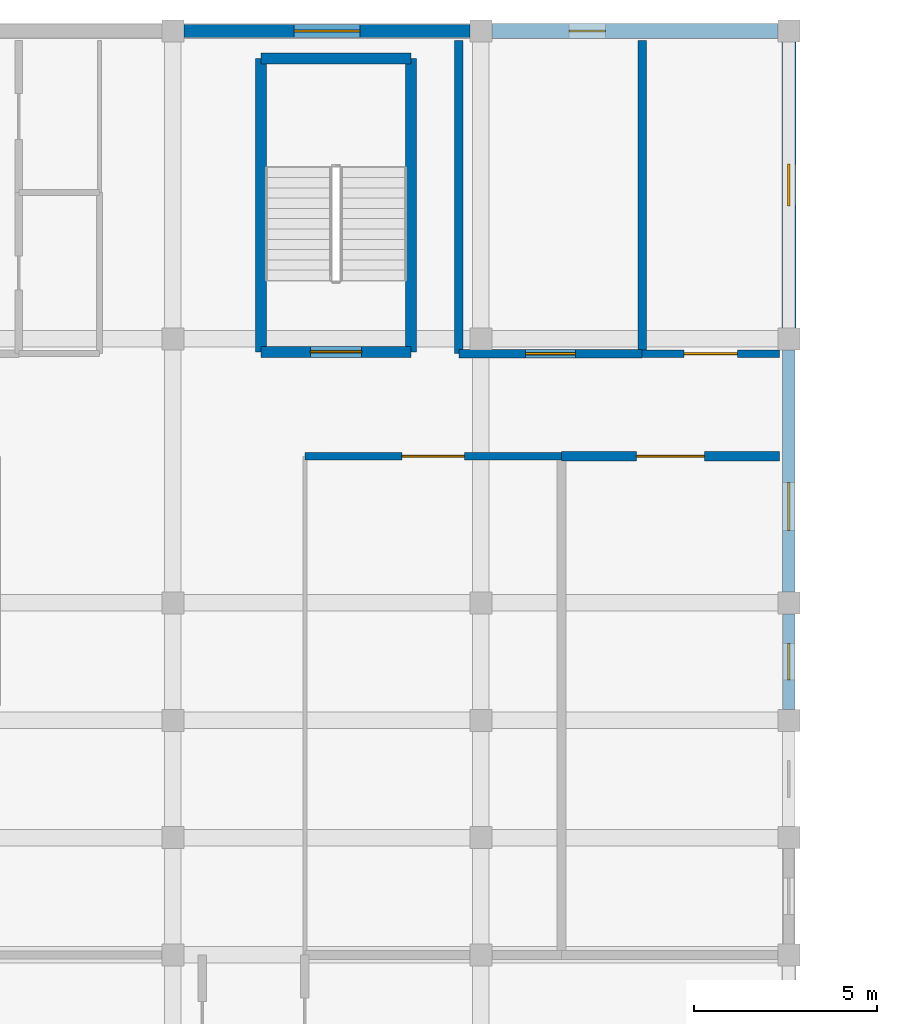
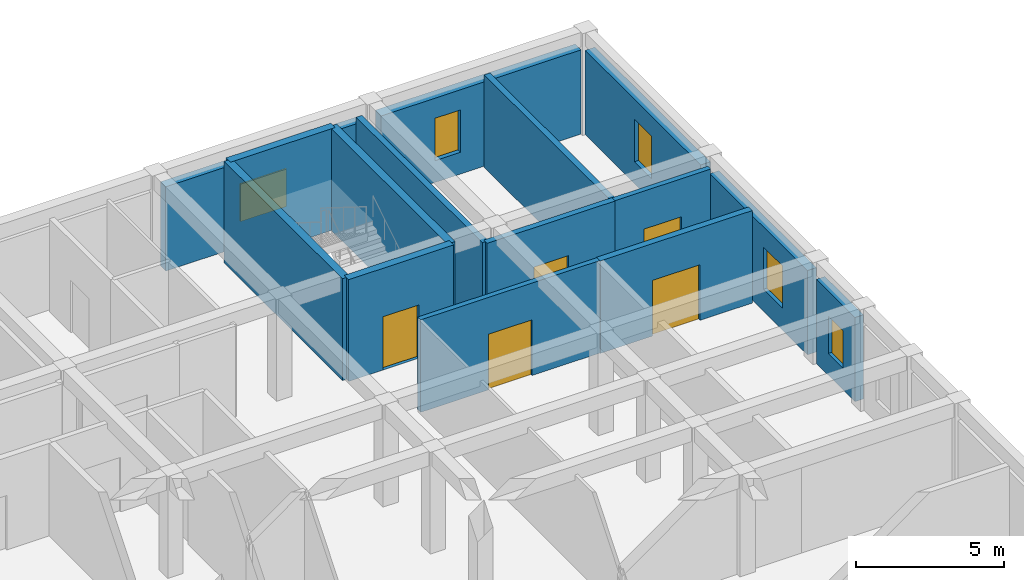
# One storey, part 30 of 42: 15 walls, 5 doors, 5 windows, 10 openings.
"""IFC4 building model written with IfcOpenShell, lengths in metres."""

from ifc_helpers import new_model, si_unit, direction, frame, frame_2d, origin, place, context, subcontext, project, spatial, rectangle, extrude, material, layer, layer_set, type_object, element, fill, save


model = new_model("IFC4")

# Units and contexts
model_context = context("Model", 3, precision=1e-05, world=origin(), true_north=direction((0.0, 1.0)))
body_context = subcontext(model_context, "Body", "Model", "MODEL_VIEW")
ifc_project = project(units=[si_unit("LENGTHUNIT", "METRE"), si_unit("AREAUNIT", "SQUARE_METRE"), si_unit("VOLUMEUNIT", "CUBIC_METRE"), si_unit("PLANEANGLEUNIT", "RADIAN"), si_unit("MASSUNIT", "GRAM", prefix="KILO")], contexts=[model_context])

# Site, building, storey
site_placement = place(None, origin())
site = spatial("IfcSite", under=ifc_project, at=site_placement, CompositionType="ELEMENT")
building_placement = place(site_placement, origin())
building = spatial("IfcBuilding", under=site, at=building_placement, Name="Varncliffe General Hospital", CompositionType="ELEMENT")
storey_placement = place(building_placement, frame((0.0, 0.0, 20.39990234375)))
storey = spatial("IfcBuildingStorey", under=building, at=storey_placement, Name="L04", CompositionType="ELEMENT", Elevation=20.39990234375)

# Wall, opening, window
ifc_material_1 = material(Name="Precast concrete C40/50 with insulated cream lime-cement stucco", Category="concrete")
ifc_layer_1 = layer(ifc_material_1, 0.3798828125)
ifc_layer_set_1 = layer_set([ifc_layer_1], Name="Precast concrete C40/50 with insulated cream lime-cement stucco")
wall_type_1 = type_object("IfcWallType", Name="Exterior Insulated Stucco Wall EW26 (380mm)", PredefinedType="SOLIDWALL", material=ifc_layer_set_1)
wall_1_placement = place(storey_placement, frame((176.39990234375, 124.501953125, 0.0), z_axis=(0.0, 0.0, 1.0), x_axis=(0.0, -1.0, 0.0)))
wall_1 = element("IfcWall", 1, at=wall_1_placement, inside=storey, type_object=wall_type_1, Name="L04 Exterior Stucco Wall EW26-374", PredefinedType="SOLIDWALL", context=body_context, shape_type="SweptSolid", body=[
    extrude(rectangle(XDim=7.803955078125, YDim=0.3798828125, at=frame_2d((3.90185546875, 0.0))), origin(), (0.0, 0.0, 1.0), 3.47998046875),
])
opening_1_placement = place(wall_1_placement, frame((3.326904296875, 0.0, 0.89990234375)))
opening_1 = element("IfcOpeningElement", 2, at=opening_1_placement, cuts=wall_1, Name="Opening WN60", PredefinedType="OPENING", context=body_context, shape_type="SweptSolid", body=[
    extrude(rectangle(XDim=1.14990234375, YDim=1.75, at=frame_2d((0.574951171875, 0.875))), frame((0.0, 0.199951171875, 0.0), z_axis=(0.0, -1.0, 0.0), x_axis=(1.0, 0.0, 0.0)), (0.0, 0.0, 1.0), 0.39990234375),
])
ifc_material_2 = material(Name="Triple low-E argon insulated vision glazing", Category="glass")
window_type_1 = type_object("IfcWindowType", Name="Triple-Glazed Hospital Window WN60 (1150x1750)", PartitioningType="SINGLE_PANEL", PredefinedType="WINDOW", material=ifc_material_2)
window_1_placement = place(opening_1_placement, origin())
window_1 = element("IfcWindow", 3, at=window_1_placement, inside=storey, type_object=window_type_1, Name="L04 Hospital Window WN60-280", OverallHeight=1.75, OverallWidth=1.14990234375, PartitioningType="SINGLE_PANEL", PredefinedType="WINDOW", context=body_context, shape_type="SweptSolid", body=[
    extrude(rectangle(XDim=1.14990234375, YDim=1.75, at=frame_2d((0.574951171875, 0.875))), frame((0.0, 0.030029296875, 0.0), z_axis=(0.0, -1.0, 0.0), x_axis=(1.0, 0.0, 0.0)), (0.0, 0.0, 1.0), 0.06005859375),
])
fill(opening_1, window_1)

ifc_layer_2 = layer(ifc_material_1, 0.330078125)
ifc_layer_set_2 = layer_set([ifc_layer_2], Name="Precast concrete C40/50 with insulated cream lime-cement stucco")
wall_type_2 = type_object("IfcWallType", Name="Exterior Insulated Stucco Wall EW33 (330mm)", PredefinedType="SOLIDWALL", material=ifc_layer_set_2)
wall_2_placement = place(storey_placement, frame((176.39990234375, 108.902099609375, 0.0), z_axis=(0.0, 0.0, 1.0), x_axis=(0.0, -1.0, 0.0)))
wall_2 = element("IfcWall", 4, at=wall_2_placement, inside=storey, type_object=wall_type_2, Name="L04 Exterior Stucco Wall EW33-376", PredefinedType="SOLIDWALL", context=body_context, shape_type="SweptSolid", body=[
    extrude(rectangle(XDim=2.60400390625, YDim=0.330078125, at=frame_2d((1.302001953125, 0.0))), origin(), (0.0, 0.0, 1.0), 3.47998046875),
])
opening_2_placement = place(wall_2_placement, frame((0.802001953125, 0.0, 0.89990234375)))
opening_2 = element("IfcOpeningElement", 5, at=opening_2_placement, cuts=wall_2, Name="Opening WN21", PredefinedType="OPENING", context=body_context, shape_type="SweptSolid", body=[
    extrude(rectangle(XDim=1.0, YDim=1.550048828125, at=frame_2d((0.5, 0.77490234375))), frame((0.0, 0.175048828125, 0.0), z_axis=(0.0, -1.0, 0.0), x_axis=(1.0, 0.0, 0.0)), (0.0, 0.0, 1.0), 0.35009765625),
])
window_type_2 = type_object("IfcWindowType", Name="Triple-Glazed Hospital Window WN21 (1000x1550)", PartitioningType="SINGLE_PANEL", PredefinedType="WINDOW", material=ifc_material_2)
window_2_placement = place(opening_2_placement, origin())
window_2 = element("IfcWindow", 6, at=window_2_placement, inside=storey, type_object=window_type_2, Name="L04 Hospital Window WN21-282", OverallHeight=1.550048828125, OverallWidth=1.0, PartitioningType="SINGLE_PANEL", PredefinedType="WINDOW", context=body_context, shape_type="SweptSolid", body=[
    extrude(rectangle(XDim=1.0, YDim=1.550048828125, at=frame_2d((0.5, 0.77490234375))), frame((0.0, 0.030029296875, 0.0), z_axis=(0.0, -1.0, 0.0), x_axis=(1.0, 0.0, 0.0)), (0.0, 0.0, 1.0), 0.06005859375),
])
fill(opening_2, window_2)

ifc_layer_3 = layer(ifc_material_1, 0.35009765625)
ifc_layer_set_3 = layer_set([ifc_layer_3], Name="Precast concrete C40/50 with insulated cream lime-cement stucco")
wall_type_3 = type_object("IfcWallType", Name="Exterior Insulated Stucco Wall EW37 (350mm)", PredefinedType="SOLIDWALL", material=ifc_layer_set_3)
wall_3_placement = place(storey_placement, frame((159.89794921875, 124.800048828125, 0.0), z_axis=(0.0, 0.0, 1.0), x_axis=(1.0, 0.0, 0.0)))
wall_3 = element("IfcWall", 7, at=wall_3_placement, inside=storey, type_object=wall_type_3, Name="L04 Exterior Stucco Wall EW37-372", PredefinedType="SOLIDWALL", context=body_context, shape_type="SweptSolid", body=[
    extrude(rectangle(XDim=7.803955078125, YDim=0.35009765625, at=frame_2d((3.90185546875, 0.0))), origin(), (0.0, 0.0, 1.0), 3.47998046875),
])
opening_3_placement = place(wall_3_placement, frame((3.001953125, 0.0, 0.89990234375)))
opening_3 = element("IfcOpeningElement", 8, at=opening_3_placement, cuts=wall_3, Name="Opening WN52", PredefinedType="OPENING", context=body_context, shape_type="SweptSolid", body=[
    extrude(rectangle(XDim=1.800048828125, YDim=1.550048828125, at=frame_2d((0.89990234375, 0.77490234375))), frame((0.0, 0.18505859375, 0.0), z_axis=(0.0, -1.0, 0.0), x_axis=(1.0, 0.0, 0.0)), (0.0, 0.0, 1.0), 0.3701171875),
])
window_type_3 = type_object("IfcWindowType", Name="Triple-Glazed Hospital Window WN52 (1800x1550)", PartitioningType="DOUBLE_PANEL_VERTICAL", PredefinedType="WINDOW", material=ifc_material_2)
window_3_placement = place(opening_3_placement, origin())
window_3 = element("IfcWindow", 9, at=window_3_placement, inside=storey, type_object=window_type_3, Name="L04 Hospital Window WN52-278", OverallHeight=1.550048828125, OverallWidth=1.800048828125, PartitioningType="DOUBLE_PANEL_VERTICAL", PredefinedType="WINDOW", context=body_context, shape_type="SweptSolid", body=[
    extrude(rectangle(XDim=1.800048828125, YDim=1.550048828125, at=frame_2d((0.89990234375, 0.77490234375))), frame((0.0, 0.030029296875, 0.0), z_axis=(0.0, -1.0, 0.0), x_axis=(1.0, 0.0, 0.0)), (0.0, 0.0, 1.0), 0.06005859375),
])
fill(opening_3, window_3)

wall_4_placement = place(storey_placement, frame((176.39990234375, 116.10205078125, 0.0), z_axis=(0.0, 0.0, 1.0), x_axis=(0.0, -1.0, 0.0)))
wall_4 = element("IfcWall", 10, at=wall_4_placement, inside=storey, type_object=wall_type_3, Name="L04 Exterior Stucco Wall EW37-375", PredefinedType="SOLIDWALL", context=body_context, shape_type="SweptSolid", body=[
    extrude(rectangle(XDim=6.60400390625, YDim=0.35009765625, at=frame_2d((3.302001953125, 0.0))), origin(), (0.0, 0.0, 1.0), 3.47998046875),
])
opening_4_placement = place(wall_4_placement, frame((3.620849609375, 0.0, 0.89990234375)))
opening_4 = element("IfcOpeningElement", 11, at=opening_4_placement, cuts=wall_4, Name="Opening WN40", PredefinedType="OPENING", context=body_context, shape_type="SweptSolid", body=[
    extrude(rectangle(XDim=1.300048828125, YDim=1.75, at=frame_2d((0.64990234375, 0.875))), frame((0.0, 0.18505859375, 0.0), z_axis=(0.0, -1.0, 0.0), x_axis=(1.0, 0.0, 0.0)), (0.0, 0.0, 1.0), 0.3701171875),
])
window_type_4 = type_object("IfcWindowType", Name="Triple-Glazed Hospital Window WN40 (1300x1750)", PartitioningType="SINGLE_PANEL", PredefinedType="WINDOW", material=ifc_material_2)
window_4_placement = place(opening_4_placement, origin())
window_4 = element("IfcWindow", 12, at=window_4_placement, inside=storey, type_object=window_type_4, Name="L04 Hospital Window WN40-281", OverallHeight=1.75, OverallWidth=1.300048828125, PartitioningType="SINGLE_PANEL", PredefinedType="WINDOW", context=body_context, shape_type="SweptSolid", body=[
    extrude(rectangle(XDim=1.300048828125, YDim=1.75, at=frame_2d((0.64990234375, 0.875))), frame((0.0, 0.030029296875, 0.0), z_axis=(0.0, -1.0, 0.0), x_axis=(1.0, 0.0, 0.0)), (0.0, 0.0, 1.0), 0.06005859375),
])
fill(opening_4, window_4)

ifc_layer_4 = layer(ifc_material_1, 0.39990234375)
ifc_layer_set_4 = layer_set([ifc_layer_4], Name="Precast concrete C40/50 with insulated cream lime-cement stucco")
wall_type_4 = type_object("IfcWallType", Name="Exterior Insulated Stucco Wall EW47 (400mm)", PredefinedType="SOLIDWALL", material=ifc_layer_set_4)
wall_5_placement = place(storey_placement, frame((168.298095703125, 124.800048828125, 0.0), z_axis=(0.0, 0.0, 1.0), x_axis=(1.0, 0.0, 0.0)))
wall_5 = element("IfcWall", 13, at=wall_5_placement, inside=storey, type_object=wall_type_4, Name="L04 Exterior Stucco Wall EW47-373", PredefinedType="SOLIDWALL", context=body_context, shape_type="SweptSolid", body=[
    extrude(rectangle(XDim=7.803955078125, YDim=0.39990234375, at=frame_2d((3.90185546875, 0.0))), origin(), (0.0, 0.0, 1.0), 3.47998046875),
])
opening_5_placement = place(wall_5_placement, frame((2.10302734375, 0.0, 0.89990234375)))
opening_5 = element("IfcOpeningElement", 14, at=opening_5_placement, cuts=wall_5, Name="Opening WN53", PredefinedType="OPENING", context=body_context, shape_type="SweptSolid", body=[
    extrude(rectangle(XDim=1.0, YDim=1.75, at=frame_2d((0.5, 0.875))), frame((0.0, 0.2099609375, 0.0), z_axis=(0.0, -1.0, 0.0), x_axis=(1.0, 0.0, 0.0)), (0.0, 0.0, 1.0), 0.419921875),
])
window_type_5 = type_object("IfcWindowType", Name="Triple-Glazed Hospital Window WN53 (1000x1750)", PartitioningType="SINGLE_PANEL", PredefinedType="WINDOW", material=ifc_material_2)
window_5_placement = place(opening_5_placement, origin())
window_5 = element("IfcWindow", 15, at=window_5_placement, inside=storey, type_object=window_type_5, Name="L04 Hospital Window WN53-279", OverallHeight=1.75, OverallWidth=1.0, PartitioningType="SINGLE_PANEL", PredefinedType="WINDOW", context=body_context, shape_type="SweptSolid", body=[
    extrude(rectangle(XDim=1.0, YDim=1.75, at=frame_2d((0.5, 0.875))), frame((0.0, 0.030029296875, 0.0), z_axis=(0.0, -1.0, 0.0), x_axis=(1.0, 0.0, 0.0)), (0.0, 0.0, 1.0), 0.06005859375),
])
fill(opening_5, window_5)

# Wall, opening, door
ifc_material_3 = material(Name="Fire-rated gypsum and mineral-wool partition assembly", Category="gypsum")
ifc_layer_5 = layer(ifc_material_3, 0.25)
ifc_layer_set_5 = layer_set([ifc_layer_5], Name="Fire-rated gypsum and mineral-wool partition assembly")
wall_type_5 = type_object("IfcWallType", Name="Interior Partitioning PW38 (250mm)", PredefinedType="PARTITIONING", material=ifc_layer_set_5)
wall_6_placement = place(storey_placement, frame((170.199951171875, 113.199951171875, 0.0), z_axis=(0.0, 0.0, 1.0), x_axis=(1.0, 0.0, 0.0)))
wall_6 = element("IfcWall", 16, at=wall_6_placement, inside=storey, type_object=wall_type_5, Name="L04 Interior Partition Wall PW38-1809", PredefinedType="PARTITIONING", context=body_context, shape_type="SweptSolid", body=[
    extrude(rectangle(XDim=5.93994140625, YDim=0.25, at=frame_2d((2.969970703125, 0.0))), origin(), (0.0, 0.0, 1.0), 3.820068359375),
])
opening_6_placement = place(wall_6_placement, frame((2.044921875, 0.0, 0.0)))
opening_6 = element("IfcOpeningElement", 17, at=opening_6_placement, cuts=wall_6, Name="Opening DC38", PredefinedType="OPENING", context=body_context, shape_type="SweptSolid", body=[
    extrude(rectangle(XDim=1.85009765625, YDim=2.300048828125, at=frame_2d((0.925048828125, 1.14990234375))), frame((0.0, 0.135009765625, 0.0), z_axis=(0.0, -1.0, 0.0), x_axis=(1.0, 0.0, 0.0)), (0.0, 0.0, 1.0), 0.27001953125),
])
ifc_material_4 = material(Name="Fire-rated hospital steel-frame vision-panel door", Category="steel")
door_type_1 = type_object("IfcDoorType", Name="Interior Hospital Door DC38 (1850x2300)", OperationType="NOTDEFINED", PredefinedType="DOOR", material=ifc_material_4)
door_1_placement = place(opening_6_placement, frame((1.85009765625, 0.0, 0.0), z_axis=(0.0, 0.0, 1.0), x_axis=(-1.0, 0.0, 0.0)))
door_1 = element("IfcDoor", 18, at=door_1_placement, inside=storey, type_object=door_type_1, Name="L04 Ward Soiled Utility Store 109 Door", OperationType="SINGLE_SWING_LEFT", OverallHeight=2.300048828125, OverallWidth=1.85009765625, PredefinedType="DOOR", context=body_context, shape_type="SweptSolid", body=[
    extrude(rectangle(XDim=1.85009765625, YDim=2.300048828125, at=frame_2d((0.925048828125, 1.14990234375))), frame((0.0, 0.02490234375, 0.0), z_axis=(0.0, -1.0, 0.0), x_axis=(1.0, 0.0, 0.0)), (0.0, 0.0, 1.0), 0.050048828125),
])
fill(opening_6, door_1)

ifc_layer_6 = layer(ifc_material_3, 0.22998046875)
ifc_layer_set_6 = layer_set([ifc_layer_6], Name="Fire-rated gypsum and mineral-wool partition assembly")
wall_type_6 = type_object("IfcWallType", Name="Interior Partitioning PW48 (230mm)", PredefinedType="PARTITIONING", material=ifc_layer_set_6)
wall_7_placement = place(storey_placement, frame((167.39990234375, 116.0, 0.0), z_axis=(0.0, 0.0, 1.0), x_axis=(1.0, 0.0, 0.0)))
wall_7 = element("IfcWall", 19, at=wall_7_placement, inside=storey, type_object=wall_type_6, Name="L04 Interior Partition Wall PW48-1822", PredefinedType="PARTITIONING", context=body_context, shape_type="SweptSolid", body=[
    extrude(rectangle(XDim=5.0, YDim=0.22998046875, at=frame_2d((2.5, 0.0))), origin(), (0.0, 0.0, 1.0), 3.820068359375),
])
opening_7_placement = place(wall_7_placement, frame((1.824951171875, 0.0, 0.0)))
opening_7 = element("IfcOpeningElement", 20, at=opening_7_placement, cuts=wall_7, Name="Opening DC85", PredefinedType="OPENING", context=body_context, shape_type="SweptSolid", body=[
    extrude(rectangle(XDim=1.35009765625, YDim=2.199951171875, at=frame_2d((0.675048828125, 1.10009765625))), frame((0.0, 0.125, 0.0), z_axis=(0.0, -1.0, 0.0), x_axis=(1.0, 0.0, 0.0)), (0.0, 0.0, 1.0), 0.25),
])
door_type_2 = type_object("IfcDoorType", Name="Interior Hospital Door DC85 (1350x2200)", OperationType="NOTDEFINED", PredefinedType="DOOR", material=ifc_material_4)
door_2_placement = place(opening_7_placement, origin())
door_2 = element("IfcDoor", 21, at=door_2_placement, inside=storey, type_object=door_type_2, Name="L04 Ward Soiled Utility Store 121 Door", OperationType="SINGLE_SWING_LEFT", OverallHeight=2.199951171875, OverallWidth=1.35009765625, PredefinedType="DOOR", context=body_context, shape_type="SweptSolid", body=[
    extrude(rectangle(XDim=1.35009765625, YDim=2.199951171875, at=frame_2d((0.675048828125, 1.10009765625))), frame((0.0, 0.02490234375, 0.0), z_axis=(0.0, -1.0, 0.0), x_axis=(1.0, 0.0, 0.0)), (0.0, 0.0, 1.0), 0.050048828125),
])
fill(opening_7, door_2)

# Walls
for number, where, z_axis, x_axis, name in (
    (22, (167.39990234375, 116.0, 0.0), (0.0, 0.0, 1.0), (0.0, 1.0, 0.0), "L04 Interior Partition Wall PW48-1998"),
    (23, (172.39990234375, 116.0, 0.0), (0.0, 0.0, 1.0), (0.0, 1.0, 0.0), "L04 Interior Partition Wall PW48-2000"),
):
    element("IfcWall", number, at=place(storey_placement, frame(where, z_axis=z_axis, x_axis=x_axis)), inside=storey, type_object=wall_type_6, Name=name, PredefinedType="PARTITIONING", context=body_context, shape_type="SweptSolid", body=[
        extrude(rectangle(XDim=8.5400390625, YDim=0.22998046875, at=frame_2d((4.27001953125, 0.0))), origin(), (0.0, 0.0, 1.0), 3.820068359375),
    ])

# Wall, opening, door
ifc_layer_7 = layer(ifc_material_3, 0.199951171875)
ifc_layer_set_7 = layer_set([ifc_layer_7], Name="Fire-rated gypsum and mineral-wool partition assembly")
wall_type_7 = type_object("IfcWallType", Name="Interior Partitioning PW63 (200mm)", PredefinedType="PARTITIONING", material=ifc_layer_set_7)
wall_8_placement = place(storey_placement, frame((163.199951171875, 113.199951171875, 0.0), z_axis=(0.0, 0.0, 1.0), x_axis=(1.0, 0.0, 0.0)))
wall_8 = element("IfcWall", 24, at=wall_8_placement, inside=storey, type_object=wall_type_7, Name="L04 Interior Partition Wall PW63-1808", PredefinedType="PARTITIONING", context=body_context, shape_type="SweptSolid", body=[
    extrude(rectangle(XDim=7.0, YDim=0.199951171875, at=frame_2d((3.5, 0.0))), origin(), (0.0, 0.0, 1.0), 3.820068359375),
])
opening_8_placement = place(wall_8_placement, frame((2.64990234375, 0.0, 0.0)))
opening_8 = element("IfcOpeningElement", 25, at=opening_8_placement, cuts=wall_8, Name="Opening DC50", PredefinedType="OPENING", context=body_context, shape_type="SweptSolid", body=[
    extrude(rectangle(XDim=1.699951171875, YDim=2.300048828125, at=frame_2d((0.85009765625, 1.14990234375))), frame((0.0, 0.10986328125, 0.0), z_axis=(0.0, -1.0, 0.0), x_axis=(1.0, 0.0, 0.0)), (0.0, 0.0, 1.0), 0.219970703125),
])
door_type_3 = type_object("IfcDoorType", Name="Interior Hospital Door DC50 (1700x2300)", OperationType="NOTDEFINED", PredefinedType="DOOR", material=ifc_material_4)
door_3_placement = place(opening_8_placement, frame((1.699951171875, 0.0, 0.0), z_axis=(0.0, 0.0, 1.0), x_axis=(-1.0, 0.0, 0.0)))
door_3 = element("IfcDoor", 26, at=door_3_placement, inside=storey, type_object=door_type_3, Name="L04 Telemetry Central Monitoring Station 108 Door", OperationType="SINGLE_SWING_RIGHT", OverallHeight=2.300048828125, OverallWidth=1.699951171875, PredefinedType="DOOR", context=body_context, shape_type="SweptSolid", body=[
    extrude(rectangle(XDim=1.699951171875, YDim=2.300048828125, at=frame_2d((0.85009765625, 1.14990234375))), frame((0.0, 0.02490234375, 0.0), z_axis=(0.0, -1.0, 0.0), x_axis=(1.0, 0.0, 0.0)), (0.0, 0.0, 1.0), 0.050048828125),
])
fill(opening_8, door_3)

wall_9_placement = place(storey_placement, frame((172.39990234375, 116.0, 0.0), z_axis=(0.0, 0.0, 1.0), x_axis=(1.0, 0.0, 0.0)))
wall_9 = element("IfcWall", 27, at=wall_9_placement, inside=storey, type_object=wall_type_7, Name="L04 Interior Partition Wall PW63-1823", PredefinedType="PARTITIONING", context=body_context, shape_type="SweptSolid", body=[
    extrude(rectangle(XDim=3.739990234375, YDim=0.199951171875, at=frame_2d((1.8701171875, 0.0))), origin(), (0.0, 0.0, 1.0), 3.820068359375),
])
opening_9_placement = place(wall_9_placement, frame((1.14501953125, 0.0, 0.0)))
opening_9 = element("IfcOpeningElement", 28, at=opening_9_placement, cuts=wall_9, Name="Opening DC66", PredefinedType="OPENING", context=body_context, shape_type="SweptSolid", body=[
    extrude(rectangle(XDim=1.449951171875, YDim=2.25, at=frame_2d((0.72509765625, 1.125))), frame((0.0, 0.10986328125, 0.0), z_axis=(0.0, -1.0, 0.0), x_axis=(1.0, 0.0, 0.0)), (0.0, 0.0, 1.0), 0.219970703125),
])
door_type_4 = type_object("IfcDoorType", Name="Interior Hospital Door DC66 (1450x2250)", OperationType="NOTDEFINED", PredefinedType="DOOR", material=ifc_material_4)
door_4_placement = place(opening_9_placement, origin())
door_4 = element("IfcDoor", 29, at=door_4_placement, inside=storey, type_object=door_type_4, Name="L04 Cardiology Telemetry Inpatient Room 122 Door", OperationType="SINGLE_SWING_RIGHT", OverallHeight=2.25, OverallWidth=1.449951171875, PredefinedType="DOOR", context=body_context, shape_type="SweptSolid", body=[
    extrude(rectangle(XDim=1.449951171875, YDim=2.25, at=frame_2d((0.72509765625, 1.125))), frame((0.0, 0.02490234375, 0.0), z_axis=(0.0, -1.0, 0.0), x_axis=(1.0, 0.0, 0.0)), (0.0, 0.0, 1.0), 0.050048828125),
])
fill(opening_9, door_4)

# Walls
ifc_material_5 = material(Name="Concrete C40/50 (CSA A23.1 40 MPa)", Category="concrete")
ifc_layer_8 = layer(ifc_material_5, 0.300048828125)
ifc_layer_set_8 = layer_set([ifc_layer_8], Name="Concrete C40/50 (CSA A23.1 40 MPa)")
wall_type_8 = type_object("IfcWallType", Name="Reinforced Concrete Core Shear Wall CW12 (300mm)", PredefinedType="SHEAR", material=ifc_layer_set_8)
wall_10_placement = place(storey_placement, frame((166.10009765625, 116.050048828125, 0.0), z_axis=(0.0, 0.0, 1.0), x_axis=(0.0, 1.0, 0.0)))
element("IfcWall", 30, at=wall_10_placement, inside=storey, type_object=wall_type_8, Name="L04 ST04 Core Shear Wall L", PredefinedType="SHEAR", context=body_context, shape_type="SweptSolid", body=[
    extrude(rectangle(XDim=8.0, YDim=0.300048828125, at=frame_2d((4.0, 0.0))), origin(), (0.0, 0.0, 1.0), 4.2001953125),
])
wall_11_placement = place(storey_placement, frame((166.10009765625, 124.050048828125, 0.0), z_axis=(0.0, 0.0, 1.0), x_axis=(-1.0, 0.0, 0.0)))
element("IfcWall", 31, at=wall_11_placement, inside=storey, type_object=wall_type_8, Name="L04 ST04 Core Shear Wall F", PredefinedType="SHEAR", context=body_context, shape_type="SweptSolid", body=[
    extrude(rectangle(XDim=4.10009765625, YDim=0.300048828125, at=frame_2d((2.050048828125, 0.0))), origin(), (0.0, 0.0, 1.0), 4.2001953125),
])
wall_12_placement = place(storey_placement, frame((162.0, 124.050048828125, 0.0), z_axis=(0.0, 0.0, 1.0), x_axis=(0.0, -1.0, 0.0)))
element("IfcWall", 32, at=wall_12_placement, inside=storey, type_object=wall_type_8, Name="L04 ST04 Core Shear Wall R", PredefinedType="SHEAR", context=body_context, shape_type="SweptSolid", body=[
    extrude(rectangle(XDim=8.0, YDim=0.300048828125, at=frame_2d((4.0, 0.0))), origin(), (0.0, 0.0, 1.0), 4.2001953125),
])

# Wall, opening, door
wall_13_placement = place(storey_placement, frame((162.0, 116.050048828125, 0.0), z_axis=(0.0, 0.0, 1.0), x_axis=(1.0, 0.0, 0.0)))
wall_13 = element("IfcWall", 33, at=wall_13_placement, inside=storey, type_object=wall_type_8, Name="L04 ST04 Core Shear Wall N", PredefinedType="SHEAR", context=body_context, shape_type="SweptSolid", body=[
    extrude(rectangle(XDim=4.10009765625, YDim=0.300048828125, at=frame_2d((2.050048828125, 0.0))), origin(), (0.0, 0.0, 1.0), 4.2001953125),
])
opening_10_placement = place(wall_13_placement, frame((1.35009765625, 0.0, 0.0)))
opening_10 = element("IfcOpeningElement", 34, at=opening_10_placement, cuts=wall_13, Name="Opening DF81", PredefinedType="OPENING", context=body_context, shape_type="SweptSolid", body=[
    extrude(rectangle(XDim=1.39990234375, YDim=2.199951171875, at=frame_2d((0.699951171875, 1.10009765625))), frame((0.0, 0.16015625, 0.0), z_axis=(0.0, -1.0, 0.0), x_axis=(1.0, 0.0, 0.0)), (0.0, 0.0, 1.0), 0.320068359375),
])
door_type_5 = type_object("IfcDoorType", Name="Interior Hospital Door DF81 (1400x2200)", OperationType="NOTDEFINED", PredefinedType="DOOR", material=ifc_material_4)
door_5_placement = place(opening_10_placement, frame((1.39990234375, 0.0, 0.0), z_axis=(0.0, 0.0, 1.0), x_axis=(-1.0, 0.0, 0.0)))
door_5 = element("IfcDoor", 35, at=door_5_placement, inside=storey, type_object=door_type_5, Name="L04 ST04 Protected Exit Stair Door", OperationType="SINGLE_SWING_LEFT", OverallHeight=2.199951171875, OverallWidth=1.39990234375, PredefinedType="DOOR", context=body_context, shape_type="SweptSolid", body=[
    extrude(rectangle(XDim=1.39990234375, YDim=2.199951171875, at=frame_2d((0.699951171875, 1.10009765625))), frame((0.0, 0.02490234375, 0.0), z_axis=(0.0, -1.0, 0.0), x_axis=(1.0, 0.0, 0.0)), (0.0, 0.0, 1.0), 0.050048828125),
])
fill(opening_10, door_5)

save(model, "model.ifc")
